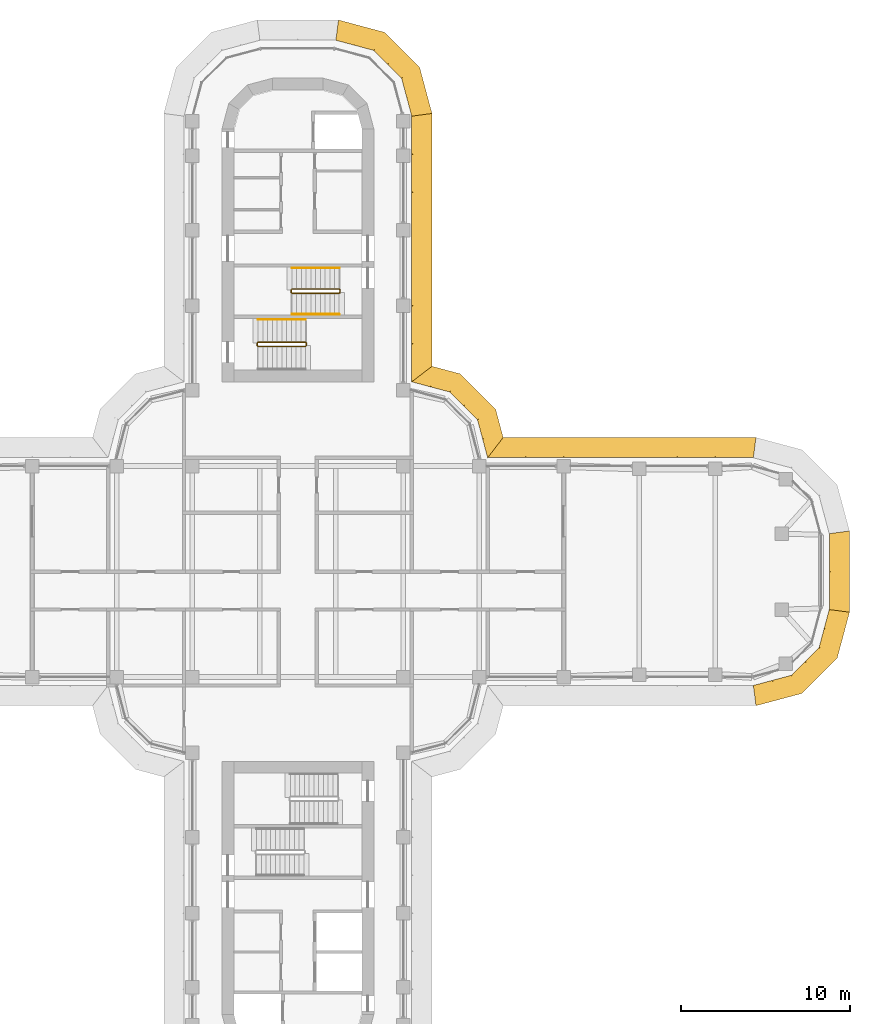
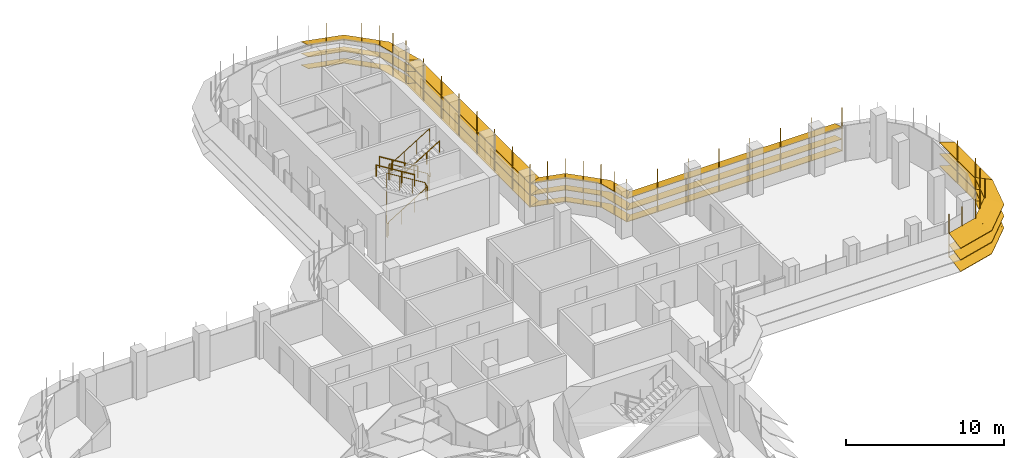
# One storey, part 19 of 20: 6 shading devices, 5 railings.
"""IFC4 building model written with IfcOpenShell, lengths in metres."""

from ifc_helpers import new_model, si_unit, direction, frame, origin, origin_2d, place, context, subcontext, project, spatial, polyline, circle, outline, extrude, faceted_brep, source, transform, mapped, material, type_object, element, save


model = new_model("IFC4")

# Units and contexts
model_context = context("Model", 3, precision=1e-05, world=origin(), true_north=direction((0.0, 1.0)))
body_context = subcontext(model_context, "Body", "Model", "MODEL_VIEW")
ifc_project = project(units=[si_unit("LENGTHUNIT", "METRE"), si_unit("AREAUNIT", "SQUARE_METRE"), si_unit("VOLUMEUNIT", "CUBIC_METRE"), si_unit("PLANEANGLEUNIT", "RADIAN"), si_unit("MASSUNIT", "GRAM", prefix="KILO")], contexts=[model_context])

# Site, building, storey
site_placement = place(None, origin())
site = spatial("IfcSite", under=ifc_project, at=site_placement, CompositionType="ELEMENT")
building_placement = place(site_placement, origin())
building = spatial("IfcBuilding", under=site, at=building_placement, Name="Zarbagh Exchange Tower", CompositionType="ELEMENT")
storey_placement = place(building_placement, frame((0.0, 0.0, 163.800048828125)))
storey = spatial("IfcBuildingStorey", under=building, at=storey_placement, Name="L39", CompositionType="ELEMENT", Elevation=163.800048828125)

# Railings
ifc_material_1 = material(Name="Stainless steel", Category="steel")
railing_type_1 = type_object("IfcRailingType", Name="Stair guard 1100 mm", PredefinedType="GUARDRAIL", material=ifc_material_1)
railing_1_placement = place(storey_placement, frame((-0.35009765625, 16.5, 2.07275390625)))
element("IfcRailing", 1, at=railing_1_placement, inside=storey, type_object=railing_type_1, Name="ST1 stair guard 1", PredefinedType="GUARDRAIL", context=body_context, shape_type="SweptSolid", body=[
    extrude(circle(Radius=0.02392578125, at=origin_2d()), frame((0.0, 0.0, 1.076171875), z_axis=(0.851089632645, 0.0, 0.525020415988), x_axis=(0.0, 1.0, 0.0)), (0.0, 0.0, 1.0), 3.2900390625),
    extrude(circle(Radius=0.02392578125, at=origin_2d()), frame((2.800048828125, 0.0, 2.80322265625), z_axis=(0.013168290981, 0.013168290981, -0.999826581076), x_axis=(-0.707106781187, 0.707106781187, 0.0)), (0.0, 0.0, 1.0), 3.80078125),
    extrude(circle(Radius=0.02392578125, at=origin_2d()), frame((2.85009765625, 0.050048828125, -0.99658203125), z_axis=(0.0, 1.0, 0.0), x_axis=(-1.0, 0.0, 0.0)), (0.0, 0.0, 1.0), 0.14990234375),
    extrude(circle(Radius=0.02392578125, at=origin_2d()), frame((2.85009765625, 0.199951171875, -0.99658203125), z_axis=(-0.268277960024, 0.268277960024, 0.925231793839), x_axis=(-0.707106781187, -0.707106781187, 0.0)), (0.0, 0.0, 1.0), 0.1865234375),
    extrude(circle(Radius=0.02392578125, at=origin_2d()), frame((2.800048828125, 0.25, -0.82421875), z_axis=(-0.851089632645, 0.0, 0.525020415988), x_axis=(0.0, -1.0, 0.0)), (0.0, 0.0, 1.0), 3.2900390625),
    extrude(circle(Radius=0.02392578125, at=origin_2d()), frame((0.0, 0.25, 0.9033203125), z_axis=(-0.705375805398, -0.708833529934, 0.0), x_axis=(0.708833529934, -0.705375805398, 0.0)), (0.0, 0.0, 1.0), 0.070556640625),
    extrude(circle(Radius=0.02392578125, at=origin_2d()), frame((-0.0498046875, 0.199951171875, 0.9033203125), z_axis=(0.0, -1.0, 0.0), x_axis=(1.0, 0.0, 0.0)), (0.0, 0.0, 1.0), 0.14990234375),
    extrude(circle(Radius=0.02099609375, at=origin_2d()), origin(), (0.0, 0.0, 1.0), 1.052001953125),
    extrude(circle(Radius=0.02099609375, at=origin_2d()), frame((0.933349609375, 0.0, 0.57568359375)), (0.0, 0.0, 1.0), 1.052001953125),
    extrude(circle(Radius=0.02099609375, at=origin_2d()), frame((1.86669921875, 0.0, 1.151611328125)), (0.0, 0.0, 1.0), 1.052001953125),
    extrude(circle(Radius=0.02099609375, at=origin_2d()), frame((2.800048828125, 0.0, 1.727294921875)), (0.0, 0.0, 1.0), 1.052001953125),
    extrude(circle(Radius=0.02099609375, at=origin_2d()), frame((2.8125, 0.012451171875, 0.77734375)), (0.0, 0.0, 1.0), 1.052001953125),
    extrude(circle(Radius=0.02099609375, at=origin_2d()), frame((2.8251953125, 0.02490234375, -0.1728515625)), (0.0, 0.0, 1.0), 1.052001953125),
    extrude(circle(Radius=0.02099609375, at=origin_2d()), frame((2.837646484375, 0.03759765625, -1.122802734375)), (0.0, 0.0, 1.0), 1.052001953125),
    extrude(circle(Radius=0.02099609375, at=origin_2d()), frame((2.85009765625, 0.050048828125, -2.07275390625)), (0.0, 0.0, 1.0), 1.052001953125),
    extrude(circle(Radius=0.02099609375, at=origin_2d()), frame((2.85009765625, 0.199951171875, -2.07275390625)), (0.0, 0.0, 1.0), 1.052001953125),
    extrude(circle(Radius=0.02099609375, at=origin_2d()), frame((2.800048828125, 0.25, -1.900146484375)), (0.0, 0.0, 1.0), 1.052001953125),
    extrude(circle(Radius=0.02099609375, at=origin_2d()), frame((1.86669921875, 0.25, -1.324462890625)), (0.0, 0.0, 1.0), 1.052001953125),
    extrude(circle(Radius=0.02099609375, at=origin_2d()), frame((0.933349609375, 0.25, -0.74853515625)), (0.0, 0.0, 1.0), 1.052001953125),
    extrude(circle(Radius=0.02099609375, at=origin_2d()), frame((0.0, 0.25, -0.1728515625)), (0.0, 0.0, 1.0), 1.052001953125),
    extrude(circle(Radius=0.02099609375, at=origin_2d()), frame((-0.0498046875, 0.199951171875, -0.1728515625)), (0.0, 0.0, 1.0), 1.052001953125),
    extrude(circle(Radius=0.02099609375, at=origin_2d()), frame((-0.0498046875, 0.050048828125, -0.1728515625)), (0.0, 0.0, 1.0), 1.052001953125),
])
railing_2_placement = place(storey_placement, frame((0.5, 13.39990234375, 1.89990234375)))
element("IfcRailing", 2, at=railing_2_placement, inside=storey, type_object=railing_type_1, Name="ST2 stair guard 1", PredefinedType="GUARDRAIL", context=body_context, shape_type="SweptSolid", body=[
    extrude(circle(Radius=0.02392578125, at=origin_2d()), frame((0.0, 0.0, 1.076171875), z_axis=(0.0, 1.0, 0.0), x_axis=(-1.0, 0.0, 0.0)), (0.0, 0.0, 1.0), 0.150146484375),
    extrude(circle(Radius=0.02392578125, at=origin_2d()), frame((0.0, 0.150146484375, 1.076171875), z_axis=(-0.267953482034, 0.267953482034, 0.925419830635), x_axis=(-0.707106781187, -0.707106781187, 0.0)), (0.0, 0.0, 1.0), 0.186767578125),
    extrude(circle(Radius=0.02392578125, at=origin_2d()), frame((-0.050048828125, 0.2001953125, 1.2490234375), z_axis=(-0.851089632645, 0.0, 0.525020415988), x_axis=(0.0, -1.0, 0.0)), (0.0, 0.0, 1.0), 3.2900390625),
    extrude(circle(Radius=0.02392578125, at=origin_2d()), frame((-2.85009765625, 0.2001953125, 2.97607421875), z_axis=(-0.013104066473, -0.013168302093, -0.99982742474), x_axis=(0.708833529934, -0.705375805398, 0.0)), (0.0, 0.0, 1.0), 3.80078125),
    extrude(circle(Radius=0.02392578125, at=origin_2d()), frame((-2.89990234375, 0.150146484375, -0.82373046875), z_axis=(0.0, -1.0, 0.0), x_axis=(1.0, 0.0, 0.0)), (0.0, 0.0, 1.0), 0.150146484375),
    extrude(circle(Radius=0.02392578125, at=origin_2d()), frame((-2.89990234375, 0.0, -0.82373046875), z_axis=(0.26715648603, -0.26715648603, 0.925880566782), x_axis=(0.707106781187, 0.707106781187, 0.0)), (0.0, 0.0, 1.0), 0.1865234375),
    extrude(circle(Radius=0.02392578125, at=origin_2d()), frame((-2.85009765625, -0.0498046875, -0.6513671875), z_axis=(0.851089632645, 0.0, 0.525020415988), x_axis=(0.0, 1.0, 0.0)), (0.0, 0.0, 1.0), 3.2900390625),
    extrude(circle(Radius=0.02099609375, at=origin_2d()), origin(), (0.0, 0.0, 1.0), 1.052001953125),
    extrude(circle(Radius=0.02099609375, at=origin_2d()), frame((0.0, 0.150146484375, 0.0)), (0.0, 0.0, 1.0), 1.052001953125),
    extrude(circle(Radius=0.02099609375, at=origin_2d()), frame((-0.050048828125, 0.2001953125, 0.1728515625)), (0.0, 0.0, 1.0), 1.052001953125),
    extrude(circle(Radius=0.02099609375, at=origin_2d()), frame((-0.9833984375, 0.2001953125, 0.74853515625)), (0.0, 0.0, 1.0), 1.052001953125),
    extrude(circle(Radius=0.02099609375, at=origin_2d()), frame((-1.916748046875, 0.2001953125, 1.324462890625)), (0.0, 0.0, 1.0), 1.052001953125),
    extrude(circle(Radius=0.02099609375, at=origin_2d()), frame((-2.85009765625, 0.2001953125, 1.900146484375)), (0.0, 0.0, 1.0), 1.052001953125),
    extrude(circle(Radius=0.02099609375, at=origin_2d()), frame((-2.862548828125, 0.187744140625, 0.9501953125)), (0.0, 0.0, 1.0), 1.052001953125),
    extrude(circle(Radius=0.02099609375, at=origin_2d()), frame((-2.875, 0.17529296875, 0.0)), (0.0, 0.0, 1.0), 1.052001953125),
    extrude(circle(Radius=0.02099609375, at=origin_2d()), frame((-2.887451171875, 0.16259765625, -0.949951171875)), (0.0, 0.0, 1.0), 1.052001953125),
    extrude(circle(Radius=0.02099609375, at=origin_2d()), frame((-2.89990234375, 0.150146484375, -1.89990234375)), (0.0, 0.0, 1.0), 1.052001953125),
    extrude(circle(Radius=0.02099609375, at=origin_2d()), frame((-2.89990234375, 0.0, -1.89990234375)), (0.0, 0.0, 1.0), 1.052001953125),
    extrude(circle(Radius=0.02099609375, at=origin_2d()), frame((-2.85009765625, -0.0498046875, -1.727294921875)), (0.0, 0.0, 1.0), 1.052001953125),
    extrude(circle(Radius=0.02099609375, at=origin_2d()), frame((-1.916748046875, -0.0498046875, -1.151611328125)), (0.0, 0.0, 1.0), 1.052001953125),
    extrude(circle(Radius=0.02099609375, at=origin_2d()), frame((-0.9833984375, -0.0498046875, -0.57568359375)), (0.0, 0.0, 1.0), 1.052001953125),
    extrude(circle(Radius=0.02099609375, at=origin_2d()), frame((-0.050048828125, -0.0498046875, 0.0)), (0.0, 0.0, 1.0), 1.052001953125),
])
railing_type_2 = type_object("IfcRailingType", Name="Stair handrail 900 mm", PredefinedType="HANDRAIL", material=ifc_material_1)
railing_3_placement = place(storey_placement, frame((2.449951171875, 18.0, 0.172607421875)))
element("IfcRailing", 3, at=railing_3_placement, inside=storey, type_object=railing_type_2, Name="ST1 stair handrail 1", PredefinedType="HANDRAIL", context=body_context, shape_type="SweptSolid", body=[
    extrude(circle(Radius=0.02392578125, at=origin_2d()), frame((0.0, 0.0, 0.8759765625), z_axis=(-0.851089632645, 0.0, 0.525020415988), x_axis=(0.0, -1.0, 0.0)), (0.0, 0.0, 1.0), 3.2900390625),
    extrude(circle(Radius=0.02099609375, at=origin_2d()), origin(), (0.0, 0.0, 1.0), 0.851806640625),
    extrude(circle(Radius=0.02099609375, at=origin_2d()), frame((-0.933349609375, 0.0, 0.57568359375)), (0.0, 0.0, 1.0), 0.851806640625),
    extrude(circle(Radius=0.02099609375, at=origin_2d()), frame((-1.86669921875, 0.0, 1.151611328125)), (0.0, 0.0, 1.0), 0.851806640625),
    extrude(circle(Radius=0.02099609375, at=origin_2d()), frame((-2.800048828125, 0.0, 1.727294921875)), (0.0, 0.0, 1.0), 0.851806640625),
])
railing_4_placement = place(storey_placement, frame((-0.35009765625, 15.25, 2.07275390625)))
element("IfcRailing", 4, at=railing_4_placement, inside=storey, type_object=railing_type_2, Name="ST1 stair handrail 2", PredefinedType="HANDRAIL", context=body_context, shape_type="SweptSolid", body=[
    extrude(circle(Radius=0.02392578125, at=origin_2d()), frame((0.0, 0.0, 0.8759765625), z_axis=(0.851089632645, 0.0, 0.525020415988), x_axis=(0.0, 1.0, 0.0)), (0.0, 0.0, 1.0), 3.2900390625),
    extrude(circle(Radius=0.02099609375, at=origin_2d()), origin(), (0.0, 0.0, 1.0), 0.851806640625),
    extrude(circle(Radius=0.02099609375, at=origin_2d()), frame((0.933349609375, 0.0, 0.57568359375)), (0.0, 0.0, 1.0), 0.851806640625),
    extrude(circle(Radius=0.02099609375, at=origin_2d()), frame((1.86669921875, 0.0, 1.151611328125)), (0.0, 0.0, 1.0), 0.851806640625),
    extrude(circle(Radius=0.02099609375, at=origin_2d()), frame((2.800048828125, 0.0, 1.727294921875)), (0.0, 0.0, 1.0), 0.851806640625),
])
railing_5_placement = place(storey_placement, frame((0.449951171875, 14.949951171875, 2.07275390625)))
element("IfcRailing", 5, at=railing_5_placement, inside=storey, type_object=railing_type_2, Name="ST2 stair handrail 2", PredefinedType="HANDRAIL", context=body_context, shape_type="SweptSolid", body=[
    extrude(circle(Radius=0.02392578125, at=origin_2d()), frame((0.0, 0.0, 0.8759765625), z_axis=(-0.851089632645, 0.0, 0.525020415988), x_axis=(0.0, -1.0, 0.0)), (0.0, 0.0, 1.0), 3.2900390625),
    extrude(circle(Radius=0.02099609375, at=origin_2d()), origin(), (0.0, 0.0, 1.0), 0.851806640625),
    extrude(circle(Radius=0.02099609375, at=origin_2d()), frame((-0.933349609375, 0.0, 0.57568359375)), (0.0, 0.0, 1.0), 0.851806640625),
    extrude(circle(Radius=0.02099609375, at=origin_2d()), frame((-1.86669921875, 0.0, 1.151611328125)), (0.0, 0.0, 1.0), 0.851806640625),
    extrude(circle(Radius=0.02099609375, at=origin_2d()), frame((-2.800048828125, 0.0, 1.727294921875)), (0.0, 0.0, 1.0), 0.851806640625),
])

# Shading devices
ifc_material_2 = material(Name="Anodised aluminium blades and brackets", Category="aluminium")
shading_device_type = type_object("IfcShadingDeviceType", Name="SUNSHADE louvre band, 22.5 degree blades", PredefinedType="JALOUSIE", material=ifc_material_2)
shared_shape_1 = source(origin(), body_context, "Body", "Brep", [
    faceted_brep([(0.0, 0.0, 0.0), (0.0, 0.0, -0.043212890625), (-0.157958984375, -1.199951171875, -0.540283203125), (-0.157958984375, -1.199951171875, -0.4970703125), (2.65087890625, -1.199951171875, -0.4970703125), (2.65087890625, -1.199951171875, -0.540283203125), (2.329345703125, 0.0, -0.043212890625), (2.329345703125, 0.0, 0.0)], [[[0, 1, 2, 3]], [[4, 5, 6, 7]], [[0, 7, 6, 1]], [[1, 6, 5, 2]], [[2, 5, 4, 3]], [[3, 4, 7, 0]]]),
])
shared_shape_2 = source(origin(), body_context, "Body", "Brep", [
    faceted_brep([(0.0, 0.0, 0.0), (0.0, 0.0, -0.043212890625), (-0.321533203125, -1.199951171875, -0.540283203125), (-0.321533203125, -1.199951171875, -0.4970703125), (2.65087890625, -1.199951171875, -0.4970703125), (2.65087890625, -1.199951171875, -0.540283203125), (2.329345703125, 0.0, -0.043212890625), (2.329345703125, 0.0, 0.0)], [[[0, 1, 2, 3]], [[4, 5, 6, 7]], [[0, 7, 6, 1]], [[1, 6, 5, 2]], [[2, 5, 4, 3]], [[3, 4, 7, 0]]]),
])
shared_shape_3 = source(origin(), body_context, "Body", "Brep", [
    faceted_brep([(0.0, 0.0, 0.0), (0.0, 0.0, -0.043212890625), (-0.321533203125, -1.199951171875, -0.540283203125), (-0.321533203125, -1.199951171875, -0.4970703125), (2.4873046875, -1.199951171875, -0.4970703125), (2.4873046875, -1.199951171875, -0.540283203125), (2.329345703125, 0.0, -0.043212890625), (2.329345703125, 0.0, 0.0)], [[[0, 1, 2, 3]], [[4, 5, 6, 7]], [[0, 7, 6, 1]], [[1, 6, 5, 2]], [[2, 5, 4, 3]], [[3, 4, 7, 0]]]),
])
shared_shape_4 = source(origin(), body_context, "Body", "SweptSolid", [
    extrude(outline(polyline([(0.0, -0.012451171875), (0.06005859375, -0.012451171875), (0.06005859375, 0.012451171875), (0.0, 0.012451171875), (0.0, -0.012451171875)])), origin(), (0.0, 0.0, 1.0), 3.353271484375),
])
placement = place(storey_placement, origin())
element("IfcShadingDevice", 6, at=placement, inside=storey, type_object=shading_device_type, Name="SS31 sunshade band", PredefinedType="JALOUSIE", context=body_context, shape_type="MappedRepresentation", body=[
    mapped(shared_shape_1, transform((27.0, -6.75, 2.300048828125), x_axis=(0.965924289636, 0.258824779902, 0.0), y_axis=(-0.258824779902, 0.965924289636, 0.0), z_axis=(0.0, 0.0, 1.0))),
    mapped(shared_shape_1, transform((27.0, -6.75, 1.39990234375), x_axis=(0.965924289636, 0.258824779902, 0.0), y_axis=(-0.258824779902, 0.965924289636, 0.0), z_axis=(0.0, 0.0, 1.0))),
    mapped(shared_shape_1, transform((27.0, -6.75, 0.5), x_axis=(0.965924289636, 0.258824779902, 0.0), y_axis=(-0.258824779902, 0.965924289636, 0.0), z_axis=(0.0, 0.0, 1.0))),
    mapped(shared_shape_2, transform((29.25, -6.147216796875, 2.300048828125), x_axis=(0.707106781187, 0.707106781187, 0.0), y_axis=(-0.707106781187, 0.707106781187, 0.0), z_axis=(0.0, 0.0, 1.0))),
    mapped(shared_shape_2, transform((29.25, -6.147216796875, 1.39990234375), x_axis=(0.707106781187, 0.707106781187, 0.0), y_axis=(-0.707106781187, 0.707106781187, 0.0), z_axis=(0.0, 0.0, 1.0))),
    mapped(shared_shape_2, transform((29.25, -6.147216796875, 0.5), x_axis=(0.707106781187, 0.707106781187, 0.0), y_axis=(-0.707106781187, 0.707106781187, 0.0), z_axis=(0.0, 0.0, 1.0))),
    mapped(shared_shape_3, transform((30.897216796875, -4.5, 2.300048828125), x_axis=(0.258824779902, 0.965924289636, 0.0), y_axis=(-0.965924289636, 0.258824779902, 0.0), z_axis=(0.0, 0.0, 1.0))),
    mapped(shared_shape_3, transform((30.897216796875, -4.5, 1.39990234375), x_axis=(0.258824779902, 0.965924289636, 0.0), y_axis=(-0.965924289636, 0.258824779902, 0.0), z_axis=(0.0, 0.0, 1.0))),
    mapped(shared_shape_3, transform((30.897216796875, -4.5, 0.5), x_axis=(0.258824779902, 0.965924289636, 0.0), y_axis=(-0.965924289636, 0.258824779902, 0.0), z_axis=(0.0, 0.0, 1.0))),
    mapped(shared_shape_4, transform((27.0, -6.75, 0.4267578125), x_axis=(0.130529263012, -0.991444457092, 0.0), y_axis=(0.991444457092, 0.130529263012, 0.0), z_axis=(0.0, 0.0, 1.0))),
    mapped(shared_shape_4, transform((28.125, -6.448486328125, 0.4267578125), x_axis=(0.258825058029, -0.96592421511, 0.0), y_axis=(0.96592421511, 0.258825058029, 0.0), z_axis=(0.0, 0.0, 1.0))),
    mapped(shared_shape_4, transform((29.25, -6.147216796875, 0.4267578125), x_axis=(0.50000275701, -0.866023812018, 0.0), y_axis=(0.866023812018, 0.50000275701, 0.0), z_axis=(0.0, 0.0, 1.0))),
    mapped(shared_shape_4, transform((30.073486328125, -5.323486328125, 0.4267578125), x_axis=(0.707106781187, -0.707106781187, 0.0), y_axis=(0.707106781187, 0.707106781187, 0.0), z_axis=(0.0, 0.0, 1.0))),
    mapped(shared_shape_4, transform((30.897216796875, -4.5, 0.4267578125), x_axis=(0.866023812018, -0.50000275701, 0.0), y_axis=(0.50000275701, 0.866023812018, 0.0), z_axis=(0.0, 0.0, 1.0))),
    mapped(shared_shape_4, transform((31.198486328125, -3.375, 0.4267578125), x_axis=(0.96592421511, -0.258825058029, 0.0), y_axis=(0.258825058029, 0.96592421511, 0.0), z_axis=(0.0, 0.0, 1.0))),
])
element("IfcShadingDevice", 7, at=placement, inside=storey, type_object=shading_device_type, Name="SS26 sunshade band", PredefinedType="JALOUSIE", context=body_context, shape_type="MappedRepresentation", body=[
    mapped(shared_shape_1, transform((6.75, 27.0, 2.300048828125), x_axis=(-0.258824779902, 0.965924289636, 0.0), y_axis=(-0.965924289636, -0.258824779902, 0.0), z_axis=(0.0, 0.0, 1.0))),
    mapped(shared_shape_1, transform((6.75, 27.0, 1.39990234375), x_axis=(-0.258824779902, 0.965924289636, 0.0), y_axis=(-0.965924289636, -0.258824779902, 0.0), z_axis=(0.0, 0.0, 1.0))),
    mapped(shared_shape_1, transform((6.75, 27.0, 0.5), x_axis=(-0.258824779902, 0.965924289636, 0.0), y_axis=(-0.965924289636, -0.258824779902, 0.0), z_axis=(0.0, 0.0, 1.0))),
    mapped(shared_shape_2, transform((6.147216796875, 29.25, 2.300048828125), x_axis=(-0.707106781187, 0.707106781187, 0.0), y_axis=(-0.707106781187, -0.707106781187, 0.0), z_axis=(0.0, 0.0, 1.0))),
    mapped(shared_shape_2, transform((6.147216796875, 29.25, 1.39990234375), x_axis=(-0.707106781187, 0.707106781187, 0.0), y_axis=(-0.707106781187, -0.707106781187, 0.0), z_axis=(0.0, 0.0, 1.0))),
    mapped(shared_shape_2, transform((6.147216796875, 29.25, 0.5), x_axis=(-0.707106781187, 0.707106781187, 0.0), y_axis=(-0.707106781187, -0.707106781187, 0.0), z_axis=(0.0, 0.0, 1.0))),
    mapped(shared_shape_3, transform((4.5, 30.897216796875, 2.300048828125), x_axis=(-0.965924289636, 0.258824779902, 0.0), y_axis=(-0.258824779902, -0.965924289636, 0.0), z_axis=(0.0, 0.0, 1.0))),
    mapped(shared_shape_3, transform((4.5, 30.897216796875, 1.39990234375), x_axis=(-0.965924289636, 0.258824779902, 0.0), y_axis=(-0.258824779902, -0.965924289636, 0.0), z_axis=(0.0, 0.0, 1.0))),
    mapped(shared_shape_3, transform((4.5, 30.897216796875, 0.5), x_axis=(-0.965924289636, 0.258824779902, 0.0), y_axis=(-0.258824779902, -0.965924289636, 0.0), z_axis=(0.0, 0.0, 1.0))),
    mapped(shared_shape_4, transform((6.75, 27.0, 0.4267578125), x_axis=(0.991444457092, 0.130529263012, 0.0), y_axis=(-0.130529263012, 0.991444457092, 0.0), z_axis=(0.0, 0.0, 1.0))),
    mapped(shared_shape_4, transform((6.448486328125, 28.125, 0.4267578125), x_axis=(0.96592421511, 0.258825058029, 0.0), y_axis=(-0.258825058029, 0.96592421511, 0.0), z_axis=(0.0, 0.0, 1.0))),
    mapped(shared_shape_4, transform((6.147216796875, 29.25, 0.4267578125), x_axis=(0.866023812018, 0.50000275701, 0.0), y_axis=(-0.50000275701, 0.866023812018, 0.0), z_axis=(0.0, 0.0, 1.0))),
    mapped(shared_shape_4, transform((5.323486328125, 30.073486328125, 0.4267578125), x_axis=(0.707106781187, 0.707106781187, 0.0), y_axis=(-0.707106781187, 0.707106781187, 0.0), z_axis=(0.0, 0.0, 1.0))),
    mapped(shared_shape_4, transform((4.5, 30.897216796875, 0.4267578125), x_axis=(0.50000275701, 0.866023812018, 0.0), y_axis=(-0.866023812018, 0.50000275701, 0.0), z_axis=(0.0, 0.0, 1.0))),
    mapped(shared_shape_4, transform((3.375, 31.198486328125, 0.4267578125), x_axis=(0.258825058029, 0.96592421511, 0.0), y_axis=(-0.96592421511, 0.258825058029, 0.0), z_axis=(0.0, 0.0, 1.0))),
])
shared_shape_5 = source(origin(), body_context, "Body", "Brep", [
    faceted_brep([(0.0, 0.0, 0.0), (0.0, 0.0, -0.043212890625), (0.9208984375, -1.199951171875, -0.540283203125), (0.9208984375, -1.199951171875, -0.4970703125), (2.65087890625, -1.199951171875, -0.4970703125), (2.65087890625, -1.199951171875, -0.540283203125), (2.329345703125, 0.0, -0.043212890625), (2.329345703125, 0.0, 0.0)], [[[0, 1, 2, 3]], [[4, 5, 6, 7]], [[0, 7, 6, 1]], [[1, 6, 5, 2]], [[2, 5, 4, 3]], [[3, 4, 7, 0]]]),
])
shared_shape_6 = source(origin(), body_context, "Body", "Brep", [
    faceted_brep([(0.0, 0.0, 0.0), (0.0, 0.0, -0.043212890625), (-0.321533203125, -1.199951171875, -0.540283203125), (-0.321533203125, -1.199951171875, -0.4970703125), (1.40869140625, -1.199951171875, -0.4970703125), (1.40869140625, -1.199951171875, -0.540283203125), (2.329345703125, 0.0, -0.043212890625), (2.329345703125, 0.0, 0.0)], [[[0, 1, 2, 3]], [[4, 5, 6, 7]], [[0, 7, 6, 1]], [[1, 6, 5, 2]], [[2, 5, 4, 3]], [[3, 4, 7, 0]]]),
])
element("IfcShadingDevice", 8, at=placement, inside=storey, type_object=shading_device_type, Name="SS09 sunshade band", PredefinedType="JALOUSIE", context=body_context, shape_type="MappedRepresentation", body=[
    mapped(shared_shape_5, transform((11.25, 6.75, 2.300048828125), x_axis=(-0.258824779902, 0.965924289636, 0.0), y_axis=(-0.965924289636, -0.258824779902, 0.0), z_axis=(0.0, 0.0, 1.0))),
    mapped(shared_shape_5, transform((11.25, 6.75, 1.39990234375), x_axis=(-0.258824779902, 0.965924289636, 0.0), y_axis=(-0.965924289636, -0.258824779902, 0.0), z_axis=(0.0, 0.0, 1.0))),
    mapped(shared_shape_5, transform((11.25, 6.75, 0.5), x_axis=(-0.258824779902, 0.965924289636, 0.0), y_axis=(-0.965924289636, -0.258824779902, 0.0), z_axis=(0.0, 0.0, 1.0))),
    mapped(shared_shape_2, transform((10.647216796875, 9.0, 2.300048828125), x_axis=(-0.707106781187, 0.707106781187, 0.0), y_axis=(-0.707106781187, -0.707106781187, 0.0), z_axis=(0.0, 0.0, 1.0))),
    mapped(shared_shape_2, transform((10.647216796875, 9.0, 1.39990234375), x_axis=(-0.707106781187, 0.707106781187, 0.0), y_axis=(-0.707106781187, -0.707106781187, 0.0), z_axis=(0.0, 0.0, 1.0))),
    mapped(shared_shape_2, transform((10.647216796875, 9.0, 0.5), x_axis=(-0.707106781187, 0.707106781187, 0.0), y_axis=(-0.707106781187, -0.707106781187, 0.0), z_axis=(0.0, 0.0, 1.0))),
    mapped(shared_shape_6, transform((9.0, 10.647216796875, 2.300048828125), x_axis=(-0.965924289636, 0.258824779902, 0.0), y_axis=(-0.258824779902, -0.965924289636, 0.0), z_axis=(0.0, 0.0, 1.0))),
    mapped(shared_shape_6, transform((9.0, 10.647216796875, 1.39990234375), x_axis=(-0.965924289636, 0.258824779902, 0.0), y_axis=(-0.258824779902, -0.965924289636, 0.0), z_axis=(0.0, 0.0, 1.0))),
    mapped(shared_shape_6, transform((9.0, 10.647216796875, 0.5), x_axis=(-0.965924289636, 0.258824779902, 0.0), y_axis=(-0.258824779902, -0.965924289636, 0.0), z_axis=(0.0, 0.0, 1.0))),
    mapped(shared_shape_4, transform((11.25, 6.75, 0.4267578125), x_axis=(0.608758892, 0.793355287, 0.0), y_axis=(-0.793355287, 0.608758892, 0.0), z_axis=(0.0, 0.0, 1.0))),
    mapped(shared_shape_4, transform((10.948486328125, 7.875, 0.4267578125), x_axis=(0.96592421511, 0.258825058029, 0.0), y_axis=(-0.258825058029, 0.96592421511, 0.0), z_axis=(0.0, 0.0, 1.0))),
    mapped(shared_shape_4, transform((10.647216796875, 9.0, 0.4267578125), x_axis=(0.866023812018, 0.50000275701, 0.0), y_axis=(-0.50000275701, 0.866023812018, 0.0), z_axis=(0.0, 0.0, 1.0))),
    mapped(shared_shape_4, transform((9.823486328125, 9.823486328125, 0.4267578125), x_axis=(0.707106781187, 0.707106781187, 0.0), y_axis=(-0.707106781187, 0.707106781187, 0.0), z_axis=(0.0, 0.0, 1.0))),
    mapped(shared_shape_4, transform((9.0, 10.647216796875, 0.4267578125), x_axis=(0.50000275701, 0.866023812018, 0.0), y_axis=(-0.866023812018, 0.50000275701, 0.0), z_axis=(0.0, 0.0, 1.0))),
    mapped(shared_shape_4, transform((7.875, 10.948486328125, 0.4267578125), x_axis=(0.258825058029, 0.96592421511, 0.0), y_axis=(-0.96592421511, 0.258825058029, 0.0), z_axis=(0.0, 0.0, 1.0))),
])
shared_shape_7 = source(origin(), body_context, "Body", "Brep", [
    faceted_brep([(0.0, 0.0, 0.0), (0.0, 0.0, -0.043212890625), (-0.157958984375, -1.199951171875, -0.540283203125), (-0.157958984375, -1.199951171875, -0.4970703125), (4.657958984375, -1.199951171875, -0.4970703125), (4.657958984375, -1.199951171875, -0.540283203125), (4.5, 0.0, -0.043212890625), (4.5, 0.0, 0.0)], [[[0, 1, 2, 3]], [[4, 5, 6, 7]], [[0, 7, 6, 1]], [[1, 6, 5, 2]], [[2, 5, 4, 3]], [[3, 4, 7, 0]]]),
])
element("IfcShadingDevice", 9, at=placement, inside=storey, type_object=shading_device_type, Name="SS32 sunshade band", PredefinedType="JALOUSIE", context=body_context, shape_type="MappedRepresentation", body=[
    mapped(shared_shape_7, transform((31.5, -2.25, 2.300048828125), x_axis=(0.0, 1.0, 0.0), y_axis=(-1.0, 0.0, 0.0), z_axis=(0.0, 0.0, 1.0))),
    mapped(shared_shape_7, transform((31.5, -2.25, 1.39990234375), x_axis=(0.0, 1.0, 0.0), y_axis=(-1.0, 0.0, 0.0), z_axis=(0.0, 0.0, 1.0))),
    mapped(shared_shape_7, transform((31.5, -2.25, 0.5), x_axis=(0.0, 1.0, 0.0), y_axis=(-1.0, 0.0, 0.0), z_axis=(0.0, 0.0, 1.0))),
    mapped(shared_shape_4, transform((31.5, -2.25, 0.4267578125), x_axis=(0.991444457092, -0.130529263012, 0.0), y_axis=(0.130529263012, 0.991444457092, 0.0), z_axis=(0.0, 0.0, 1.0))),
    mapped(shared_shape_4, transform((31.5, 0.0, 0.4267578125), x_axis=(1.0, 0.0, 0.0), y_axis=(0.0, 1.0, 0.0), z_axis=(0.0, 0.0, 1.0))),
])
shared_shape_8 = source(origin(), body_context, "Body", "Brep", [
    faceted_brep([(0.0, 0.0, 0.0), (0.0, 0.0, -0.043212890625), (-0.157958984375, -1.199951171875, -0.540283203125), (-0.157958984375, -1.199951171875, -0.4970703125), (14.8291015625, -1.199951171875, -0.4970703125), (14.8291015625, -1.199951171875, -0.540283203125), (15.75, 0.0, -0.043212890625), (15.75, 0.0, 0.0)], [[[0, 1, 2, 3]], [[4, 5, 6, 7]], [[0, 7, 6, 1]], [[1, 6, 5, 2]], [[2, 5, 4, 3]], [[3, 4, 7, 0]]]),
])
element("IfcShadingDevice", 10, at=placement, inside=storey, type_object=shading_device_type, Name="SS34 sunshade band", PredefinedType="JALOUSIE", context=body_context, shape_type="MappedRepresentation", body=[
    mapped(shared_shape_8, transform((27.0, 6.75, 2.300048828125), x_axis=(-1.0, 0.0, 0.0), y_axis=(0.0, -1.0, 0.0), z_axis=(0.0, 0.0, 1.0))),
    mapped(shared_shape_8, transform((27.0, 6.75, 1.39990234375), x_axis=(-1.0, 0.0, 0.0), y_axis=(0.0, -1.0, 0.0), z_axis=(0.0, 0.0, 1.0))),
    mapped(shared_shape_8, transform((27.0, 6.75, 0.5), x_axis=(-1.0, 0.0, 0.0), y_axis=(0.0, -1.0, 0.0), z_axis=(0.0, 0.0, 1.0))),
    mapped(shared_shape_4, transform((27.0, 6.75, 0.4267578125), x_axis=(0.130529263012, 0.991444457092, 0.0), y_axis=(-0.991444457092, 0.130529263012, 0.0), z_axis=(0.0, 0.0, 1.0))),
    mapped(shared_shape_4, transform((24.75, 6.75, 0.4267578125), x_axis=(0.0, 1.0, 0.0), y_axis=(-1.0, 0.0, 0.0), z_axis=(0.0, 0.0, 1.0))),
    mapped(shared_shape_4, transform((22.5, 6.75, 0.4267578125), x_axis=(0.0, 1.0, 0.0), y_axis=(-1.0, 0.0, 0.0), z_axis=(0.0, 0.0, 1.0))),
    mapped(shared_shape_4, transform((20.25, 6.75, 0.4267578125), x_axis=(0.0, 1.0, 0.0), y_axis=(-1.0, 0.0, 0.0), z_axis=(0.0, 0.0, 1.0))),
    mapped(shared_shape_4, transform((18.0, 6.75, 0.4267578125), x_axis=(0.0, 1.0, 0.0), y_axis=(-1.0, 0.0, 0.0), z_axis=(0.0, 0.0, 1.0))),
    mapped(shared_shape_4, transform((15.75, 6.75, 0.4267578125), x_axis=(0.0, 1.0, 0.0), y_axis=(-1.0, 0.0, 0.0), z_axis=(0.0, 0.0, 1.0))),
    mapped(shared_shape_4, transform((13.5, 6.75, 0.4267578125), x_axis=(0.0, 1.0, 0.0), y_axis=(-1.0, 0.0, 0.0), z_axis=(0.0, 0.0, 1.0))),
])
shared_shape_9 = source(origin(), body_context, "Body", "Brep", [
    faceted_brep([(0.0, 0.0, 0.0), (0.0, 0.0, -0.043212890625), (0.9208984375, -1.199951171875, -0.540283203125), (0.9208984375, -1.199951171875, -0.4970703125), (15.907958984375, -1.199951171875, -0.4970703125), (15.907958984375, -1.199951171875, -0.540283203125), (15.75, 0.0, -0.043212890625), (15.75, 0.0, 0.0)], [[[0, 1, 2, 3]], [[4, 5, 6, 7]], [[0, 7, 6, 1]], [[1, 6, 5, 2]], [[2, 5, 4, 3]], [[3, 4, 7, 0]]]),
])
element("IfcShadingDevice", 11, at=placement, inside=storey, type_object=shading_device_type, Name="SS25 sunshade band", PredefinedType="JALOUSIE", context=body_context, shape_type="MappedRepresentation", body=[
    mapped(shared_shape_9, transform((6.75, 11.25, 2.300048828125), x_axis=(0.0, 1.0, 0.0), y_axis=(-1.0, 0.0, 0.0), z_axis=(0.0, 0.0, 1.0))),
    mapped(shared_shape_9, transform((6.75, 11.25, 1.39990234375), x_axis=(0.0, 1.0, 0.0), y_axis=(-1.0, 0.0, 0.0), z_axis=(0.0, 0.0, 1.0))),
    mapped(shared_shape_9, transform((6.75, 11.25, 0.5), x_axis=(0.0, 1.0, 0.0), y_axis=(-1.0, 0.0, 0.0), z_axis=(0.0, 0.0, 1.0))),
    mapped(shared_shape_4, transform((6.75, 11.25, 0.4267578125), x_axis=(0.793355287, 0.608758892, 0.0), y_axis=(-0.608758892, 0.793355287, 0.0), z_axis=(0.0, 0.0, 1.0))),
    mapped(shared_shape_4, transform((6.75, 13.5, 0.4267578125), x_axis=(1.0, 0.0, 0.0), y_axis=(0.0, 1.0, 0.0), z_axis=(0.0, 0.0, 1.0))),
    mapped(shared_shape_4, transform((6.75, 15.75, 0.4267578125), x_axis=(1.0, 0.0, 0.0), y_axis=(0.0, 1.0, 0.0), z_axis=(0.0, 0.0, 1.0))),
    mapped(shared_shape_4, transform((6.75, 18.0, 0.4267578125), x_axis=(1.0, 0.0, 0.0), y_axis=(0.0, 1.0, 0.0), z_axis=(0.0, 0.0, 1.0))),
    mapped(shared_shape_4, transform((6.75, 20.25, 0.4267578125), x_axis=(1.0, 0.0, 0.0), y_axis=(0.0, 1.0, 0.0), z_axis=(0.0, 0.0, 1.0))),
    mapped(shared_shape_4, transform((6.75, 22.5, 0.4267578125), x_axis=(1.0, 0.0, 0.0), y_axis=(0.0, 1.0, 0.0), z_axis=(0.0, 0.0, 1.0))),
    mapped(shared_shape_4, transform((6.75, 24.75, 0.4267578125), x_axis=(1.0, 0.0, 0.0), y_axis=(0.0, 1.0, 0.0), z_axis=(0.0, 0.0, 1.0))),
])

save(model, "model.ifc")
